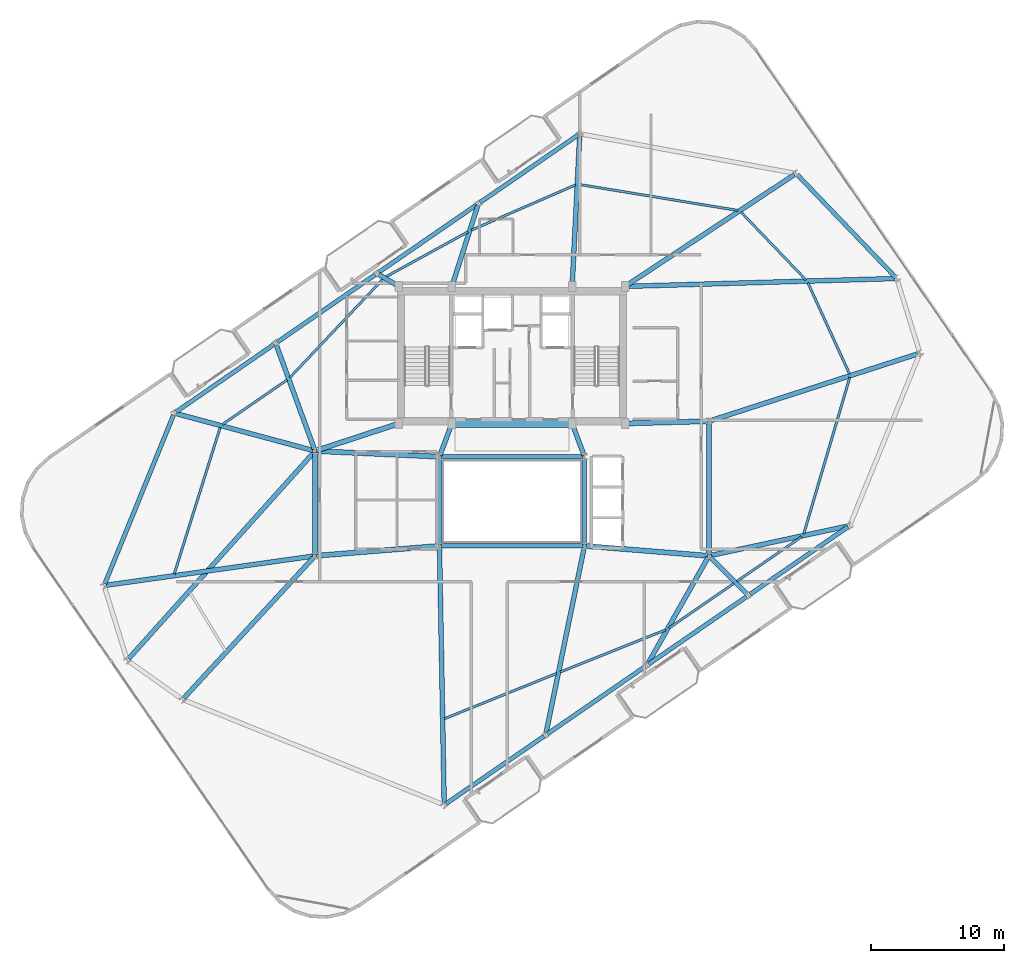
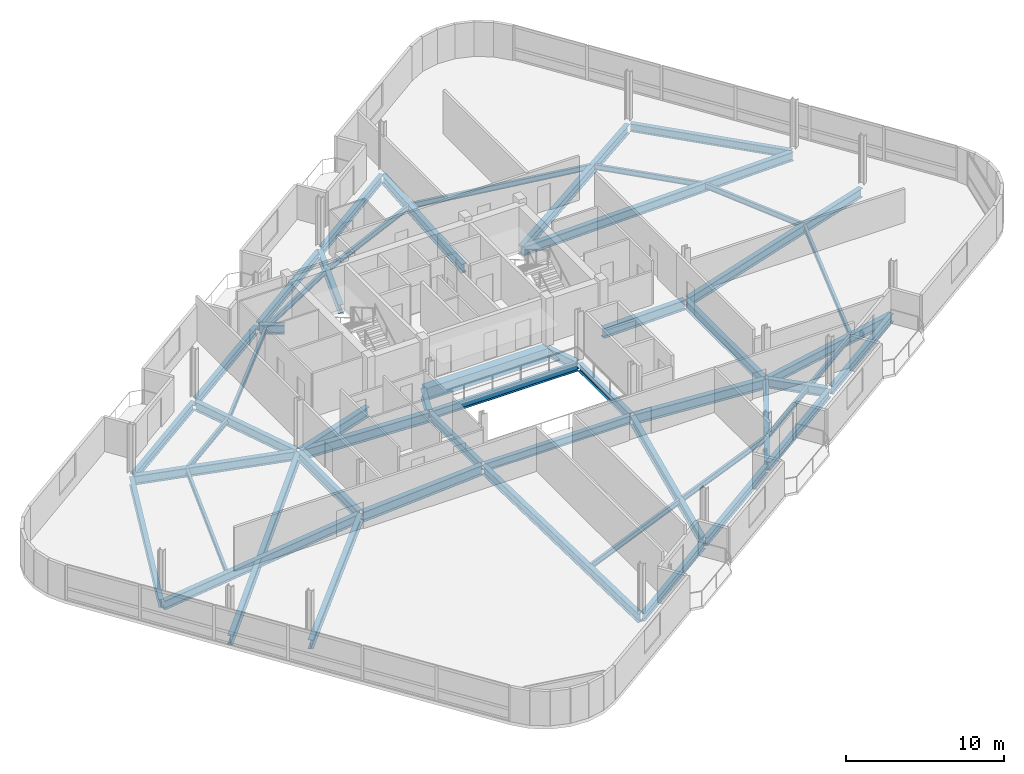
# One storey, part 8 of 23: 53 beams.
"""IFC4 building model written with IfcOpenShell, lengths in metres."""

from ifc_helpers import new_model, si_unit, direction, frame, origin, origin_2d, place, context, subcontext, project, spatial, rectangle, i_section, extrude, material, material_profile, profile_set, type_object, element, save


model = new_model("IFC4")

# Units and contexts
model_context = context("Model", 3, precision=1e-05, world=origin(), true_north=direction((0.0, 1.0)))
body_context = subcontext(model_context, "Body", "Model", "MODEL_VIEW")
ifc_project = project(units=[si_unit("LENGTHUNIT", "METRE"), si_unit("AREAUNIT", "SQUARE_METRE"), si_unit("VOLUMEUNIT", "CUBIC_METRE"), si_unit("PLANEANGLEUNIT", "RADIAN"), si_unit("MASSUNIT", "GRAM", prefix="KILO")], contexts=[model_context])

# Site, building, storey
site_placement = place(None, origin())
site = spatial("IfcSite", under=ifc_project, at=site_placement, CompositionType="ELEMENT")
building_placement = place(site_placement, origin())
building = spatial("IfcBuilding", under=site, at=building_placement, Name="Varnelok Gate Tower", CompositionType="ELEMENT")
storey_placement = place(building_placement, frame((0.0, 0.0, 287.800048828125)))
storey = spatial("IfcBuildingStorey", under=building, at=storey_placement, Name="L74", CompositionType="ELEMENT", Elevation=287.800048828125)

# Beams
ifc_material_1 = material(Name="Structural Steel ASTM A992 Grade 50", Category="steel")
ifc_material_profile_1 = material_profile(ifc_material_1, i_section(OverallWidth=0.180908203125, OverallDepth=0.4169921875, WebThickness=0.010986328125, FlangeThickness=0.018310546875, FilletRadius=0.013916015625, at=origin_2d()), Name="W16X57")
ifc_profile_set_1 = profile_set([ifc_material_profile_1], Name="Structural Steel ASTM A992 Grade 50")
beam_type_1 = type_object("IfcBeamType", Name="BM-JST-W16X57", PredefinedType="JOIST", material=ifc_profile_set_1)
beam_1_placement = place(storey_placement, frame((34.119384765625, 6.55810546875, -0.45849609375), z_axis=(0.927176466043, 0.374624880134, 0.0), x_axis=(-0.374624880134, 0.927176466043, 0.0)))
element("IfcBeam", 1, at=beam_1_placement, inside=storey, type_object=beam_type_1, Name="L74 Sector Floor Joist 1", PredefinedType="JOIST", context=body_context, shape_type="SweptSolid", body=[
    extrude(i_section(OverallWidth=0.180908203125, OverallDepth=0.4169921875, WebThickness=0.010986328125, FlangeThickness=0.018310546875, FilletRadius=0.013916015625, at=origin_2d()), origin(), (0.0, 0.0, 1.0), 9.104248046875),
])
beam_2_placement = place(storey_placement, frame((42.8203125, 10.0732421875, -0.45849609375), z_axis=(0.928774195897, 0.370646048187, 0.0), x_axis=(-0.370646048187, 0.928774195897, 0.0)))
element("IfcBeam", 2, at=beam_2_placement, inside=storey, type_object=beam_type_1, Name="L74 Sector Floor Joist 2", PredefinedType="JOIST", context=body_context, shape_type="SweptSolid", body=[
    extrude(i_section(OverallWidth=0.180908203125, OverallDepth=0.4169921875, WebThickness=0.010986328125, FlangeThickness=0.018310546875, FilletRadius=0.013916015625, at=origin_2d()), origin(), (0.0, 0.0, 1.0), 8.537353515625),
])
for number, where, z_axis, x_axis, name in (
    (3, (50.9951171875, 13.368896484375, -0.45849609375), (0.82353115915, 0.567271037432, 0.0), (-0.567271037432, 0.82353115915, 0.0), "L74 Sector Floor Joist 3"),
    (4, (56.098876953125, 16.884521484375, -0.45849609375), (0.82353115915, 0.567271037432, 0.0), (-0.567271037432, 0.82353115915, 0.0), "L74 Sector Floor Joist 4"),
):
    element("IfcBeam", number, at=place(storey_placement, frame(where, z_axis=z_axis, x_axis=x_axis)), inside=storey, type_object=beam_type_1, Name=name, PredefinedType="JOIST", context=body_context, shape_type="SweptSolid", body=[
        extrude(i_section(OverallWidth=0.180908203125, OverallDepth=0.4169921875, WebThickness=0.010986328125, FlangeThickness=0.018310546875, FilletRadius=0.013916015625, at=origin_2d()), origin(), (0.0, 0.0, 1.0), 5.917236328125),
    ])
beam_3_placement = place(storey_placement, frame((61.126708984375, 20.455078125, -0.45849609375), z_axis=(0.282207314423, 0.959353444611, 0.0), x_axis=(-0.959353444611, 0.282207314423, 0.0)))
element("IfcBeam", 5, at=beam_3_placement, inside=storey, type_object=beam_type_1, Name="L74 Sector Floor Joist 5", PredefinedType="JOIST", context=body_context, shape_type="SweptSolid", body=[
    extrude(i_section(OverallWidth=0.180908203125, OverallDepth=0.4169921875, WebThickness=0.010986328125, FlangeThickness=0.018310546875, FilletRadius=0.013916015625, at=origin_2d()), origin(), (0.0, 0.0, 1.0), 12.25341796875),
])
beam_4_placement = place(storey_placement, frame((64.56591796875, 32.471923828125, -0.45849609375), z_axis=(-0.415592714541, 0.909550820801, 0.0), x_axis=(-0.909550820801, -0.415592714541, 0.0)))
element("IfcBeam", 6, at=beam_4_placement, inside=storey, type_object=beam_type_1, Name="L74 Sector Floor Joist 6", PredefinedType="JOIST", context=body_context, shape_type="SweptSolid", body=[
    extrude(i_section(OverallWidth=0.180908203125, OverallDepth=0.4169921875, WebThickness=0.010986328125, FlangeThickness=0.018310546875, FilletRadius=0.013916015625, at=origin_2d()), origin(), (0.0, 0.0, 1.0), 7.530029296875),
])
beam_5_placement = place(storey_placement, frame((61.281494140625, 39.54931640625, -0.45849609375), z_axis=(-0.691797702742, 0.722091364358, 0.0), x_axis=(-0.722091364358, -0.691797702742, 0.0)))
element("IfcBeam", 7, at=beam_5_placement, inside=storey, type_object=beam_type_1, Name="L74 Sector Floor Joist 7", PredefinedType="JOIST", context=body_context, shape_type="SweptSolid", body=[
    extrude(i_section(OverallWidth=0.180908203125, OverallDepth=0.4169921875, WebThickness=0.010986328125, FlangeThickness=0.018310546875, FilletRadius=0.013916015625, at=origin_2d()), origin(), (0.0, 0.0, 1.0), 7.043701171875),
])
beam_6_placement = place(storey_placement, frame((56.173583984375, 44.75927734375, -0.45849609375), z_axis=(-0.986872651984, 0.161500367699, 0.0), x_axis=(-0.161500367699, -0.986872651984, 0.0)))
element("IfcBeam", 8, at=beam_6_placement, inside=storey, type_object=beam_type_1, Name="L74 Sector Floor Joist 8", PredefinedType="JOIST", context=body_context, shape_type="SweptSolid", body=[
    extrude(i_section(OverallWidth=0.180908203125, OverallDepth=0.4169921875, WebThickness=0.010986328125, FlangeThickness=0.018310546875, FilletRadius=0.013916015625, at=origin_2d()), origin(), (0.0, 0.0, 1.0), 12.090576171875),
])
beam_7_placement = place(storey_placement, frame((43.97509765625, 46.678466796875, -0.45849609375), z_axis=(-0.917094603368, -0.398669648296, 0.0), x_axis=(0.398669648296, -0.917094603368, 0.0)))
element("IfcBeam", 9, at=beam_7_placement, inside=storey, type_object=beam_type_1, Name="L74 Sector Floor Joist 9", PredefinedType="JOIST", context=body_context, shape_type="SweptSolid", body=[
    extrude(i_section(OverallWidth=0.180908203125, OverallDepth=0.4169921875, WebThickness=0.010986328125, FlangeThickness=0.018310546875, FilletRadius=0.013916015625, at=origin_2d()), origin(), (0.0, 0.0, 1.0), 8.537841796875),
])
beam_8_placement = place(storey_placement, frame((35.893798828125, 43.151611328125, -0.45849609375), z_axis=(-0.87701238833, -0.480467762411, 0.0), x_axis=(0.480467762411, -0.87701238833, 0.0)))
element("IfcBeam", 10, at=beam_8_placement, inside=storey, type_object=beam_type_1, Name="L74 Sector Floor Joist 10", PredefinedType="JOIST", context=body_context, shape_type="SweptSolid", body=[
    extrude(i_section(OverallWidth=0.180908203125, OverallDepth=0.4169921875, WebThickness=0.010986328125, FlangeThickness=0.018310546875, FilletRadius=0.013916015625, at=origin_2d()), origin(), (0.0, 0.0, 1.0), 7.037109375),
])
beam_9_placement = place(storey_placement, frame((29.503173828125, 39.601318359375, -0.45849609375), z_axis=(-0.686986275182, -0.726670391382, 0.0), x_axis=(0.726670391382, -0.686986275182, 0.0)))
element("IfcBeam", 11, at=beam_9_placement, inside=storey, type_object=beam_type_1, Name="L74 Sector Floor Joist 11", PredefinedType="JOIST", context=body_context, shape_type="SweptSolid", body=[
    extrude(i_section(OverallWidth=0.180908203125, OverallDepth=0.4169921875, WebThickness=0.010986328125, FlangeThickness=0.018310546875, FilletRadius=0.013916015625, at=origin_2d()), origin(), (0.0, 0.0, 1.0), 10.175537109375),
])
beam_10_placement = place(storey_placement, frame((22.30126953125, 32.02587890625, -0.45849609375), z_axis=(-0.823544435496, -0.56725176312, 0.0), x_axis=(0.56725176312, -0.823544435496, 0.0)))
element("IfcBeam", 12, at=beam_10_placement, inside=storey, type_object=beam_type_1, Name="L74 Sector Floor Joist 12", PredefinedType="JOIST", context=body_context, shape_type="SweptSolid", body=[
    extrude(i_section(OverallWidth=0.180908203125, OverallDepth=0.4169921875, WebThickness=0.010986328125, FlangeThickness=0.018310546875, FilletRadius=0.013916015625, at=origin_2d()), origin(), (0.0, 0.0, 1.0), 5.91748046875),
])
beam_11_placement = place(storey_placement, frame((17.270751953125, 28.4560546875, -0.45849609375), z_axis=(-0.299055079776, -0.954235850961, 0.0), x_axis=(0.954235850961, -0.299055079776, 0.0)))
element("IfcBeam", 13, at=beam_11_placement, inside=storey, type_object=beam_type_1, Name="L74 Sector Floor Joist 13", PredefinedType="JOIST", context=body_context, shape_type="SweptSolid", body=[
    extrude(i_section(OverallWidth=0.180908203125, OverallDepth=0.4169921875, WebThickness=0.010986328125, FlangeThickness=0.018310546875, FilletRadius=0.013916015625, at=origin_2d()), origin(), (0.0, 0.0, 1.0), 11.5458984375),
])
ifc_material_2 = material(Name="Concrete C60/75", Category="concrete")
ifc_material_profile_2 = material_profile(ifc_material_2, rectangle(XDim=0.60009765625, YDim=0.949951171875, at=origin_2d()), Name="RC950X600")
ifc_profile_set_2 = profile_set([ifc_material_profile_2], Name="Concrete C60/75")
beam_type_2 = type_object("IfcBeamType", Name="BM-LNT-RC950", PredefinedType="LINTEL", material=ifc_profile_set_2)
beam_12_placement = place(storey_placement, frame((34.800048828125, 28.75, -0.72509765625), z_axis=(1.0, 0.0, 0.0), x_axis=(0.0, 1.0, 0.0)))
element("IfcBeam", 14, at=beam_12_placement, inside=storey, type_object=beam_type_2, Name="L74 Core-Atrium Spine Beam 7", PredefinedType="LINTEL", context=body_context, shape_type="SweptSolid", body=[
    extrude(rectangle(XDim=0.60009765625, YDim=0.949951171875, at=origin_2d()), origin(), (0.0, 0.0, 1.0), 8.800048828125),
])
ifc_material_profile_3 = material_profile(ifc_material_1, i_section(OverallWidth=0.35498046875, OverallDepth=0.696044921875, WebThickness=0.015380859375, FlangeThickness=0.02490234375, FilletRadius=0.02001953125, at=origin_2d()), Name="W27X146")
ifc_profile_set_3 = profile_set([ifc_material_profile_3], Name="Structural Steel ASTM A992 Grade 50")
beam_type_3 = type_object("IfcBeamType", Name="BM-PRI-W27X146", PredefinedType="BEAM", material=ifc_profile_set_3)
for number, where, z_axis, x_axis, name in (
    (15, (33.791748046875, 26.362548828125, -0.59814453125), (0.348719329408, 0.937227202602, 0.0), (-0.937227202602, 0.348719329408, 0.0), "L74 Core-Atrium Spine Beam 12"),
    (16, (44.608154296875, 26.362548828125, -0.59814453125), (-0.348719329408, 0.937227202602, 0.0), (-0.937227202602, -0.348719329408, 0.0), "L74 Core-Atrium Spine Beam 13"),
):
    element("IfcBeam", number, at=place(storey_placement, frame(where, z_axis=z_axis, x_axis=x_axis)), inside=storey, type_object=beam_type_3, Name=name, PredefinedType="BEAM", context=body_context, shape_type="SweptSolid", body=[
        extrude(i_section(OverallWidth=0.35498046875, OverallDepth=0.696044921875, WebThickness=0.015380859375, FlangeThickness=0.02490234375, FilletRadius=0.02001953125, at=origin_2d()), origin(), (0.0, 0.0, 1.0), 2.42724609375),
    ])
beam_13_placement = place(storey_placement, frame((24.39990234375, 18.919921875, -0.59814453125), z_axis=(0.0, 1.0, 0.0), x_axis=(-1.0, 0.0, 0.0)))
element("IfcBeam", 17, at=beam_13_placement, inside=storey, type_object=beam_type_3, Name="L74 Core-Atrium Spine Beam 16", PredefinedType="BEAM", context=body_context, shape_type="SweptSolid", body=[
    extrude(i_section(OverallWidth=0.35498046875, OverallDepth=0.696044921875, WebThickness=0.015380859375, FlangeThickness=0.02490234375, FilletRadius=0.02001953125, at=origin_2d()), origin(), (0.0, 0.0, 1.0), 7.64013671875),
])
beam_14_placement = place(storey_placement, frame((54.0, 18.919921875, -0.59814453125), z_axis=(0.0, 1.0, 0.0), x_axis=(-1.0, 0.0, 0.0)))
element("IfcBeam", 18, at=beam_14_placement, inside=storey, type_object=beam_type_3, Name="L74 Core-Atrium Spine Beam 20", PredefinedType="BEAM", context=body_context, shape_type="SweptSolid", body=[
    extrude(i_section(OverallWidth=0.35498046875, OverallDepth=0.696044921875, WebThickness=0.015380859375, FlangeThickness=0.02490234375, FilletRadius=0.02001953125, at=origin_2d()), origin(), (0.0, 0.0, 1.0), 9.880126953125),
])
beam_15_placement = place(storey_placement, frame((33.752685546875, 19.39990234375, -0.59814453125), z_axis=(0.018349623406, -0.999831631486, 0.0), x_axis=(0.999831631486, 0.018349623406, 0.0)))
element("IfcBeam", 19, at=beam_15_placement, inside=storey, type_object=beam_type_3, Name="L74 Radial Floor Girder 1", PredefinedType="BEAM", context=body_context, shape_type="SweptSolid", body=[
    extrude(i_section(OverallWidth=0.35498046875, OverallDepth=0.696044921875, WebThickness=0.015380859375, FlangeThickness=0.02490234375, FilletRadius=0.02001953125, at=origin_2d()), origin(), (0.0, 0.0, 1.0), 19.17236328125),
])
beam_16_placement = place(storey_placement, frame((44.619873046875, 19.403076171875, -0.59814453125), z_axis=(-0.201445575576, -0.979499709077, 0.0), x_axis=(0.979499709077, -0.201445575576, 0.0)))
element("IfcBeam", 20, at=beam_16_placement, inside=storey, type_object=beam_type_3, Name="L74 Radial Floor Girder 2", PredefinedType="BEAM", context=body_context, shape_type="SweptSolid", body=[
    extrude(i_section(OverallWidth=0.35498046875, OverallDepth=0.696044921875, WebThickness=0.015380859375, FlangeThickness=0.02490234375, FilletRadius=0.02001953125, at=origin_2d()), origin(), (0.0, 0.0, 1.0), 14.2197265625),
])
beam_17_placement = place(storey_placement, frame((53.926025390625, 18.66943359375, -0.59814453125), z_axis=(-0.49272782428, -0.870183481331, 0.0), x_axis=(0.870183481331, -0.49272782428, 0.0)))
element("IfcBeam", 21, at=beam_17_placement, inside=storey, type_object=beam_type_3, Name="L74 Radial Floor Girder 3", PredefinedType="BEAM", context=body_context, shape_type="SweptSolid", body=[
    extrude(i_section(OverallWidth=0.35498046875, OverallDepth=0.696044921875, WebThickness=0.015380859375, FlangeThickness=0.02490234375, FilletRadius=0.02001953125, at=origin_2d()), origin(), (0.0, 0.0, 1.0), 9.151611328125),
])
beam_18_placement = place(storey_placement, frame((54.105712890625, 18.693603515625, -0.59814453125), z_axis=(0.705068615511, -0.709139088911, 0.0), x_axis=(0.709139088911, 0.705068615511, 0.0)))
element("IfcBeam", 22, at=beam_18_placement, inside=storey, type_object=beam_type_3, Name="L74 Radial Floor Girder 4", PredefinedType="BEAM", context=body_context, shape_type="SweptSolid", body=[
    extrude(i_section(OverallWidth=0.35498046875, OverallDepth=0.696044921875, WebThickness=0.015380859375, FlangeThickness=0.02490234375, FilletRadius=0.02001953125, at=origin_2d()), origin(), (0.0, 0.0, 1.0), 3.898681640625),
])
beam_19_placement = place(storey_placement, frame((54.146728515625, 18.83154296875, -0.59814453125), z_axis=(0.977750075893, 0.209773184872, 0.0), x_axis=(-0.209773184872, 0.977750075893, 0.0)))
element("IfcBeam", 23, at=beam_19_placement, inside=storey, type_object=beam_type_3, Name="L74 Radial Floor Girder 5", PredefinedType="BEAM", context=body_context, shape_type="SweptSolid", body=[
    extrude(i_section(OverallWidth=0.35498046875, OverallDepth=0.696044921875, WebThickness=0.015380859375, FlangeThickness=0.02490234375, FilletRadius=0.02001953125, at=origin_2d()), origin(), (0.0, 0.0, 1.0), 10.518798828125),
])
beam_20_placement = place(storey_placement, frame((54.142822265625, 28.966064453125, -0.59814453125), z_axis=(0.95177048337, 0.306810930356, 0.0), x_axis=(-0.306810930356, 0.95177048337, 0.0)))
element("IfcBeam", 24, at=beam_20_placement, inside=storey, type_object=beam_type_3, Name="L74 Radial Floor Girder 6", PredefinedType="BEAM", context=body_context, shape_type="SweptSolid", body=[
    extrude(i_section(OverallWidth=0.35498046875, OverallDepth=0.696044921875, WebThickness=0.015380859375, FlangeThickness=0.02490234375, FilletRadius=0.02001953125, at=origin_2d()), origin(), (0.0, 0.0, 1.0), 16.3603515625),
])
beam_21_placement = place(storey_placement, frame((47.849853515625, 39.054443359375, -0.59814453125), z_axis=(0.999576755953, 0.029091389778, 0.0), x_axis=(-0.029091389778, 0.999576755953, 0.0)))
element("IfcBeam", 25, at=beam_21_placement, inside=storey, type_object=beam_type_3, Name="L74 Radial Floor Girder 7", PredefinedType="BEAM", context=body_context, shape_type="SweptSolid", body=[
    extrude(i_section(OverallWidth=0.35498046875, OverallDepth=0.696044921875, WebThickness=0.015380859375, FlangeThickness=0.02490234375, FilletRadius=0.02001953125, at=origin_2d()), origin(), (0.0, 0.0, 1.0), 20.12451171875),
])
beam_22_placement = place(storey_placement, frame((47.8251953125, 39.1328125, -0.59814453125), z_axis=(0.834499250809, 0.551009074697, 0.0), x_axis=(-0.551009074697, 0.834499250809, 0.0)))
element("IfcBeam", 26, at=beam_22_placement, inside=storey, type_object=beam_type_3, Name="L74 Radial Floor Girder 8", PredefinedType="BEAM", context=body_context, shape_type="SweptSolid", body=[
    extrude(i_section(OverallWidth=0.35498046875, OverallDepth=0.696044921875, WebThickness=0.015380859375, FlangeThickness=0.02490234375, FilletRadius=0.02001953125, at=origin_2d()), origin(), (0.0, 0.0, 1.0), 15.102783203125),
])
beam_23_placement = place(storey_placement, frame((43.7275390625, 39.19970703125, -0.59814453125), z_axis=(0.049860312634, 0.998756201094, 0.0), x_axis=(-0.998756201094, 0.049860312634, 0.0)))
element("IfcBeam", 27, at=beam_23_placement, inside=storey, type_object=beam_type_3, Name="L74 Radial Floor Girder 9", PredefinedType="BEAM", context=body_context, shape_type="SweptSolid", body=[
    extrude(i_section(OverallWidth=0.35498046875, OverallDepth=0.696044921875, WebThickness=0.015380859375, FlangeThickness=0.02490234375, FilletRadius=0.02001953125, at=origin_2d()), origin(), (0.0, 0.0, 1.0), 11.18359375),
])
beam_24_placement = place(storey_placement, frame((34.725830078125, 39.19287109375, -0.59814453125), z_axis=(0.305315663047, 0.952251198948, 0.0), x_axis=(-0.952251198948, 0.305315663047, 0.0)))
element("IfcBeam", 28, at=beam_24_placement, inside=storey, type_object=beam_type_3, Name="L74 Radial Floor Girder 10", PredefinedType="BEAM", context=body_context, shape_type="SweptSolid", body=[
    extrude(i_section(OverallWidth=0.35498046875, OverallDepth=0.696044921875, WebThickness=0.015380859375, FlangeThickness=0.02490234375, FilletRadius=0.02001953125, at=origin_2d()), origin(), (0.0, 0.0, 1.0), 6.23388671875),
])
beam_25_placement = place(storey_placement, frame((30.571044921875, 39.12646484375, -0.59814453125), z_axis=(-0.859971198292, 0.510342569367, 0.0), x_axis=(-0.510342569367, -0.859971198292, 0.0)))
element("IfcBeam", 29, at=beam_25_placement, inside=storey, type_object=beam_type_3, Name="L74 Radial Floor Girder 11", PredefinedType="BEAM", context=body_context, shape_type="SweptSolid", body=[
    extrude(i_section(OverallWidth=0.35498046875, OverallDepth=0.696044921875, WebThickness=0.015380859375, FlangeThickness=0.02490234375, FilletRadius=0.02001953125, at=origin_2d()), origin(), (0.0, 0.0, 1.0), 1.6103515625),
])
beam_26_placement = place(storey_placement, frame((24.348388671875, 26.82080078125, -0.59814453125), z_axis=(-0.343337291508, 0.939212172121, 0.0), x_axis=(-0.939212172121, -0.343337291508, 0.0)))
element("IfcBeam", 30, at=beam_26_placement, inside=storey, type_object=beam_type_3, Name="L74 Radial Floor Girder 12", PredefinedType="BEAM", context=body_context, shape_type="SweptSolid", body=[
    extrude(i_section(OverallWidth=0.35498046875, OverallDepth=0.696044921875, WebThickness=0.015380859375, FlangeThickness=0.02490234375, FilletRadius=0.02001953125, at=origin_2d()), origin(), (0.0, 0.0, 1.0), 8.32177734375),
])
beam_27_placement = place(storey_placement, frame((24.255126953125, 26.718994140625, -0.59814453125), z_axis=(-0.965561980059, 0.260173139782, 0.0), x_axis=(-0.260173139782, -0.965561980059, 0.0)))
element("IfcBeam", 31, at=beam_27_placement, inside=storey, type_object=beam_type_3, Name="L74 Radial Floor Girder 13", PredefinedType="BEAM", context=body_context, shape_type="SweptSolid", body=[
    extrude(i_section(OverallWidth=0.35498046875, OverallDepth=0.696044921875, WebThickness=0.015380859375, FlangeThickness=0.02490234375, FilletRadius=0.02001953125, at=origin_2d()), origin(), (0.0, 0.0, 1.0), 10.6552734375),
])
beam_28_placement = place(storey_placement, frame((24.25146484375, 18.779052734375, -0.59814453125), z_axis=(-0.990242546669, -0.139354579277, 0.0), x_axis=(0.139354579277, -0.990242546669, 0.0)))
element("IfcBeam", 32, at=beam_28_placement, inside=storey, type_object=beam_type_3, Name="L74 Radial Floor Girder 14", PredefinedType="BEAM", context=body_context, shape_type="SweptSolid", body=[
    extrude(i_section(OverallWidth=0.35498046875, OverallDepth=0.696044921875, WebThickness=0.015380859375, FlangeThickness=0.02490234375, FilletRadius=0.02001953125, at=origin_2d()), origin(), (0.0, 0.0, 1.0), 15.713134765625),
])
beam_29_placement = place(storey_placement, frame((24.2998046875, 26.568359375, -0.59814453125), z_axis=(-0.668020095308, -0.744143233702, 0.0), x_axis=(0.744143233702, -0.668020095308, 0.0)))
element("IfcBeam", 33, at=beam_29_placement, inside=storey, type_object=beam_type_3, Name="L74 Radial Floor Girder 15", PredefinedType="BEAM", context=body_context, shape_type="SweptSolid", body=[
    extrude(i_section(OverallWidth=0.35498046875, OverallDepth=0.696044921875, WebThickness=0.015380859375, FlangeThickness=0.02490234375, FilletRadius=0.02001953125, at=origin_2d()), origin(), (0.0, 0.0, 1.0), 20.83056640625),
])
beam_30_placement = place(storey_placement, frame((24.29833984375, 18.689697265625, -0.59814453125), z_axis=(-0.677969926739, -0.73508963973, 0.0), x_axis=(0.73508963973, -0.677969926739, 0.0)))
element("IfcBeam", 34, at=beam_30_placement, inside=storey, type_object=beam_type_3, Name="L74 Radial Floor Girder 16", PredefinedType="BEAM", context=body_context, shape_type="SweptSolid", body=[
    extrude(i_section(OverallWidth=0.35498046875, OverallDepth=0.696044921875, WebThickness=0.015380859375, FlangeThickness=0.02490234375, FilletRadius=0.02001953125, at=origin_2d()), origin(), (0.0, 0.0, 1.0), 14.386962890625),
])
ifc_material_profile_4 = material_profile(ifc_material_1, i_section(OverallWidth=0.381103515625, OverallDepth=0.77294921875, WebThickness=0.0166015625, FlangeThickness=0.027099609375, FilletRadius=0.02197265625, at=origin_2d()), Name="W30X173")
ifc_profile_set_4 = profile_set([ifc_material_profile_4], Name="Structural Steel ASTM A992 Grade 50")
beam_type_4 = type_object("IfcBeamType", Name="BM-PRI-W30X173", PredefinedType="BEAM", material=ifc_profile_set_4)
beam_31_placement = place(storey_placement, frame((24.51953125, 18.8095703125, -0.636474609375), z_axis=(0.996799206292, 0.07994587128, 0.0), x_axis=(-0.07994587128, 0.996799206292, 0.0)))
element("IfcBeam", 35, at=beam_31_placement, inside=storey, type_object=beam_type_4, Name="L74 Core-Atrium Spine Beam 14", PredefinedType="BEAM", context=body_context, shape_type="SweptSolid", body=[
    extrude(i_section(OverallWidth=0.381103515625, OverallDepth=0.77294921875, WebThickness=0.0166015625, FlangeThickness=0.027099609375, FilletRadius=0.02197265625, at=origin_2d()), origin(), (0.0, 0.0, 1.0), 9.14013671875),
])
beam_32_placement = place(storey_placement, frame((24.52001953125, 26.674560546875, -0.636474609375), z_axis=(0.99894427814, -0.045938319209, 0.0), x_axis=(0.045938319209, 0.99894427814, 0.0)))
element("IfcBeam", 36, at=beam_32_placement, inside=storey, type_object=beam_type_4, Name="L74 Core-Atrium Spine Beam 15", PredefinedType="BEAM", context=body_context, shape_type="SweptSolid", body=[
    extrude(i_section(OverallWidth=0.381103515625, OverallDepth=0.77294921875, WebThickness=0.0166015625, FlangeThickness=0.027099609375, FilletRadius=0.02197265625, at=origin_2d()), origin(), (0.0, 0.0, 1.0), 9.11962890625),
])
beam_33_placement = place(storey_placement, frame((24.513916015625, 26.717529296875, -0.636474609375), z_axis=(0.950041943788, 0.312122259768, 0.0), x_axis=(-0.312122259768, 0.950041943788, 0.0)))
element("IfcBeam", 37, at=beam_33_placement, inside=storey, type_object=beam_type_4, Name="L74 Core-Atrium Spine Beam 17", PredefinedType="BEAM", context=body_context, shape_type="SweptSolid", body=[
    extrude(i_section(OverallWidth=0.381103515625, OverallDepth=0.77294921875, WebThickness=0.0166015625, FlangeThickness=0.027099609375, FilletRadius=0.02197265625, at=origin_2d()), origin(), (0.0, 0.0, 1.0), 6.391357421875),
])
beam_34_placement = place(storey_placement, frame((44.76953125, 19.540283203125, -0.636474609375), z_axis=(0.996799206292, -0.07994587128, 0.0), x_axis=(0.07994587128, 0.996799206292, 0.0)))
element("IfcBeam", 38, at=beam_34_placement, inside=storey, type_object=beam_type_4, Name="L74 Core-Atrium Spine Beam 18", PredefinedType="BEAM", context=body_context, shape_type="SweptSolid", body=[
    extrude(i_section(OverallWidth=0.381103515625, OverallDepth=0.77294921875, WebThickness=0.0166015625, FlangeThickness=0.027099609375, FilletRadius=0.02197265625, at=origin_2d()), origin(), (0.0, 0.0, 1.0), 9.14013671875),
])
beam_35_placement = place(storey_placement, frame((47.820068359375, 28.753173828125, -0.636474609375), z_axis=(0.999635880609, 0.026983443053, 0.0), x_axis=(-0.026983443053, 0.999635880609, 0.0)))
element("IfcBeam", 39, at=beam_35_placement, inside=storey, type_object=beam_type_4, Name="L74 Core-Atrium Spine Beam 19", PredefinedType="BEAM", context=body_context, shape_type="SweptSolid", body=[
    extrude(i_section(OverallWidth=0.381103515625, OverallDepth=0.77294921875, WebThickness=0.0166015625, FlangeThickness=0.027099609375, FilletRadius=0.02197265625, at=origin_2d()), origin(), (0.0, 0.0, 1.0), 6.06201171875),
])
ifc_material_profile_5 = material_profile(ifc_material_1, i_section(OverallWidth=0.323974609375, OverallDepth=0.611083984375, WebThickness=0.0126953125, FlangeThickness=0.01904296875, FilletRadius=0.01806640625, at=origin_2d()), Name="W24X104")
ifc_profile_set_5 = profile_set([ifc_material_profile_5], Name="Structural Steel ASTM A992 Grade 50")
beam_type_5 = type_object("IfcBeamType", Name="BM-SPN-W24X104", PredefinedType="SPANDREL", material=ifc_profile_set_5)
for number, where, z_axis, x_axis, name in (
    (40, (33.8701171875, 19.550048828125, -0.5556640625), (1.0, 0.0, 0.0), (0.0, 1.0, 0.0), "L74 Core-Atrium Spine Beam 8"),
    (41, (33.8701171875, 26.25, -0.5556640625), (1.0, 0.0, 0.0), (0.0, 1.0, 0.0), "L74 Core-Atrium Spine Beam 9"),
):
    element("IfcBeam", number, at=place(storey_placement, frame(where, z_axis=z_axis, x_axis=x_axis)), inside=storey, type_object=beam_type_5, Name=name, PredefinedType="SPANDREL", context=body_context, shape_type="SweptSolid", body=[
        extrude(i_section(OverallWidth=0.323974609375, OverallDepth=0.611083984375, WebThickness=0.0126953125, FlangeThickness=0.01904296875, FilletRadius=0.01806640625, at=origin_2d()), origin(), (0.0, 0.0, 1.0), 10.659912109375),
    ])
for number, where, z_axis, x_axis, name in (
    (42, (33.75, 19.669921875, -0.5556640625), (0.0, 1.0, 0.0), (-1.0, 0.0, 0.0), "L74 Core-Atrium Spine Beam 10"),
    (43, (44.64990234375, 19.669921875, -0.5556640625), (0.0, 1.0, 0.0), (-1.0, 0.0, 0.0), "L74 Core-Atrium Spine Beam 11"),
):
    element("IfcBeam", number, at=place(storey_placement, frame(where, z_axis=z_axis, x_axis=x_axis)), inside=storey, type_object=beam_type_5, Name=name, PredefinedType="SPANDREL", context=body_context, shape_type="SweptSolid", body=[
        extrude(i_section(OverallWidth=0.323974609375, OverallDepth=0.611083984375, WebThickness=0.0126953125, FlangeThickness=0.01904296875, FilletRadius=0.01806640625, at=origin_2d()), origin(), (0.0, 0.0, 1.0), 6.4599609375),
    ])
for number, where, z_axis, x_axis, name in (
    (44, (34.23095703125, 0.166015625, -0.5556640625), (0.823540167677, 0.567257959153, 0.0), (-0.567257959153, 0.823540167677, 0.0), "L74 Perimeter Spandrel Beam 1"),
    (45, (41.8486328125, 5.4130859375, -0.5556640625), (0.823540167677, 0.567257959153, 0.0), (-0.567257959153, 0.823540167677, 0.0), "L74 Perimeter Spandrel Beam 2"),
    (46, (49.46630859375, 10.660400390625, -0.5556640625), (0.823540167677, 0.567257959153, 0.0), (-0.567257959153, 0.823540167677, 0.0), "L74 Perimeter Spandrel Beam 3"),
    (47, (57.083984375, 15.90771484375, -0.5556640625), (0.823540167677, 0.567257959153, 0.0), (-0.567257959153, 0.823540167677, 0.0), "L74 Perimeter Spandrel Beam 4"),
):
    element("IfcBeam", number, at=place(storey_placement, frame(where, z_axis=z_axis, x_axis=x_axis)), inside=storey, type_object=beam_type_5, Name=name, PredefinedType="SPANDREL", context=body_context, shape_type="SweptSolid", body=[
        extrude(i_section(OverallWidth=0.323974609375, OverallDepth=0.611083984375, WebThickness=0.0126953125, FlangeThickness=0.01904296875, FilletRadius=0.01806640625, at=origin_2d()), origin(), (0.0, 0.0, 1.0), 8.949951171875),
    ])
beam_36_placement = place(storey_placement, frame((68.01171875, 39.75244140625, -0.5556640625), z_axis=(-0.691775667186, 0.722112474819, 0.0), x_axis=(-0.722112474819, -0.691775667186, 0.0)))
element("IfcBeam", 48, at=beam_36_placement, inside=storey, type_object=beam_type_5, Name="L74 Perimeter Spandrel Beam 7", PredefinedType="SPANDREL", context=body_context, shape_type="SweptSolid", body=[
    extrude(i_section(OverallWidth=0.323974609375, OverallDepth=0.611083984375, WebThickness=0.0126953125, FlangeThickness=0.01904296875, FilletRadius=0.01806640625, at=origin_2d()), origin(), (0.0, 0.0, 1.0), 10.630859375),
])
for number, where, z_axis, x_axis, name in (
    (49, (44.169189453125, 50.43408203125, -0.5556640625), (-0.823548945124, -0.567245215921, 0.0), (0.567245215921, -0.823548945124, 0.0), "L74 Perimeter Spandrel Beam 9"),
    (50, (36.551513671875, 45.18701171875, -0.5556640625), (-0.823536202099, -0.567263716301, 0.0), (0.567263716301, -0.823536202099, 0.0), "L74 Perimeter Spandrel Beam 10"),
):
    element("IfcBeam", number, at=place(storey_placement, frame(where, z_axis=z_axis, x_axis=x_axis)), inside=storey, type_object=beam_type_5, Name=name, PredefinedType="SPANDREL", context=body_context, shape_type="SweptSolid", body=[
        extrude(i_section(OverallWidth=0.323974609375, OverallDepth=0.611083984375, WebThickness=0.0126953125, FlangeThickness=0.01904296875, FilletRadius=0.01806640625, at=origin_2d()), origin(), (0.0, 0.0, 1.0), 8.9501953125),
    ])
beam_37_placement = place(storey_placement, frame((28.93359375, 39.939697265625, -0.5556640625), z_axis=(-0.823527424215, -0.567276459555, 0.0), x_axis=(0.567276459555, -0.823527424215, 0.0)))
element("IfcBeam", 51, at=beam_37_placement, inside=storey, type_object=beam_type_5, Name="L74 Perimeter Spandrel Beam 11", PredefinedType="SPANDREL", context=body_context, shape_type="SweptSolid", body=[
    extrude(i_section(OverallWidth=0.323974609375, OverallDepth=0.611083984375, WebThickness=0.0126953125, FlangeThickness=0.01904296875, FilletRadius=0.01806640625, at=origin_2d()), origin(), (0.0, 0.0, 1.0), 8.949951171875),
])
beam_38_placement = place(storey_placement, frame((21.316162109375, 34.6923828125, -0.5556640625), z_axis=(-0.823548945124, -0.567245215921, 0.0), x_axis=(0.567245215921, -0.823548945124, 0.0)))
element("IfcBeam", 52, at=beam_38_placement, inside=storey, type_object=beam_type_5, Name="L74 Perimeter Spandrel Beam 12", PredefinedType="SPANDREL", context=body_context, shape_type="SweptSolid", body=[
    extrude(i_section(OverallWidth=0.323974609375, OverallDepth=0.611083984375, WebThickness=0.0126953125, FlangeThickness=0.01904296875, FilletRadius=0.01806640625, at=origin_2d()), origin(), (0.0, 0.0, 1.0), 8.9501953125),
])
beam_39_placement = place(storey_placement, frame((13.765380859375, 29.391357421875, -0.5556640625), z_axis=(-0.377174006677, -0.926142412746, 0.0), x_axis=(0.926142412746, -0.377174006677, 0.0)))
element("IfcBeam", 53, at=beam_39_placement, inside=storey, type_object=beam_type_5, Name="L74 Perimeter Spandrel Beam 13", PredefinedType="SPANDREL", context=body_context, shape_type="SweptSolid", body=[
    extrude(i_section(OverallWidth=0.323974609375, OverallDepth=0.611083984375, WebThickness=0.0126953125, FlangeThickness=0.01904296875, FilletRadius=0.01806640625, at=origin_2d()), origin(), (0.0, 0.0, 1.0), 13.6953125),
])

save(model, "model.ifc")
